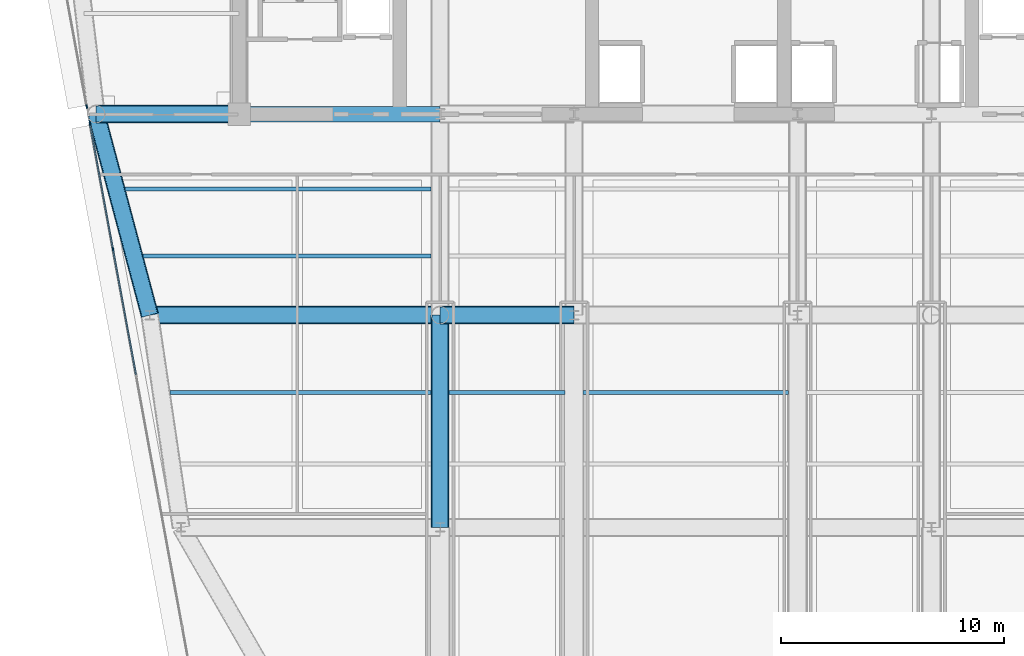
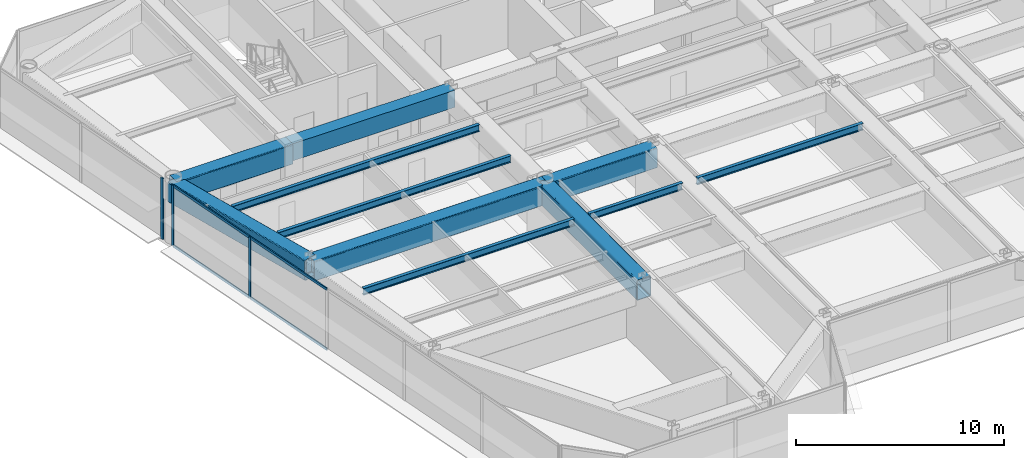
# One storey, part 4 of 16: 11 beams, 7 members, 2 elements without a shape of their own.
"""IFC4 building model written with IfcOpenShell, lengths in metres."""

from ifc_helpers import new_model, si_unit, direction, frame, origin, origin_2d, place, context, subcontext, project, spatial, rectangle, hollow_rectangle, i_section, extrude, source, transform, mapped, material, layer, layer_set, material_profile, profile_set, type_object, element, aggregate, save


model = new_model("IFC4")

# Units and contexts
model_context = context("Model", 3, precision=1e-05, world=origin(), true_north=direction((0.0, 1.0)))
body_context = subcontext(model_context, "Body", "Model", "MODEL_VIEW")
ifc_project = project(units=[si_unit("LENGTHUNIT", "METRE"), si_unit("AREAUNIT", "SQUARE_METRE"), si_unit("VOLUMEUNIT", "CUBIC_METRE"), si_unit("PLANEANGLEUNIT", "RADIAN"), si_unit("MASSUNIT", "GRAM", prefix="KILO")], contexts=[model_context])

# Site, building, storey
site_placement = place(None, origin())
site = spatial("IfcSite", under=ifc_project, at=site_placement, CompositionType="ELEMENT")
building_placement = place(site_placement, origin())
building = spatial("IfcBuilding", under=site, at=building_placement, Name="Vaeldorn Concourse Tower", CompositionType="ELEMENT")
storey_placement = place(building_placement, frame((0.0, 0.0, 203.199951171875)))
storey = spatial("IfcBuildingStorey", under=building, at=storey_placement, Name="L52", CompositionType="ELEMENT", Elevation=203.199951171875)

# Beams
ifc_material_1 = material(Name="Concrete C50/60", Category="concrete")
ifc_material_profile_1 = material_profile(ifc_material_1, rectangle(XDim=0.699951171875, YDim=1.0, at=origin_2d()), Name="RC 700x1000")
ifc_profile_set_1 = profile_set([ifc_material_profile_1], Name="Concrete C50/60")
beam_type_1 = type_object("IfcBeamType", Name="BM-CB-RC700", PredefinedType="BEAM", material=ifc_profile_set_1)
shared_shape_1 = source(origin(), body_context, "Body", "SweptSolid", [
    extrude(rectangle(XDim=0.699951171875, YDim=1.0, at=origin_2d()), origin(), (0.0, 0.0, 1.0), 9.0),
])
beam_1_placement = place(storey_placement, frame((14.0, 36.5, 3.080078125), z_axis=(1.0, 0.0, 0.0), x_axis=(0.0, 1.0, 0.0)))
element("IfcBeam", 1, at=beam_1_placement, inside=storey, type_object=beam_type_1, Name="Core Coupling Beam L52-1", PredefinedType="BEAM", context=body_context, shape_type="MappedRepresentation", body=[
    mapped(shared_shape_1, transform((0.0, 0.0, 0.0), scale=1.0)),
])
ifc_material_2 = material(Name="Steel S460", Category="steel")
ifc_material_profile_2 = material_profile(ifc_material_2, hollow_rectangle(XDim=0.800048828125, YDim=1.199951171875, WallThickness=0.044921875, InnerFilletRadius=0.044921875, OuterFilletRadius=0.090087890625, at=origin_2d()), Name="RHS 1200x800x45")
ifc_profile_set_2 = profile_set([ifc_material_profile_2], Name="Steel S460")
beam_type_2 = type_object("IfcBeamType", Name="BM-TG-RHS1200", PredefinedType="BEAM", material=ifc_profile_set_2)
shared_shape_2 = source(origin(), body_context, "Body", "SweptSolid", [
    extrude(hollow_rectangle(XDim=0.800048828125, YDim=1.199951171875, WallThickness=0.044921875, InnerFilletRadius=0.044921875, OuterFilletRadius=0.090087890625, at=origin_2d()), origin(), (0.0, 0.0, 1.0), 6.0),
])
beam_2_placement = place(storey_placement, frame((23.0, 27.5, 2.97998046875), z_axis=(1.0, 0.0, 0.0), x_axis=(0.0, 1.0, 0.0)))
element("IfcBeam", 2, at=beam_2_placement, inside=storey, type_object=beam_type_2, Name="Beam BM-L52-C-TW1-C-TW2", PredefinedType="BEAM", context=body_context, shape_type="MappedRepresentation", body=[
    mapped(shared_shape_2, transform((0.0, 0.0, 0.0), scale=1.0)),
])
shared_shape_3 = source(origin(), body_context, "Body", "SweptSolid", [
    extrude(hollow_rectangle(XDim=0.800048828125, YDim=1.199951171875, WallThickness=0.044921875, InnerFilletRadius=0.044921875, OuterFilletRadius=0.090087890625, at=origin_2d()), origin(), (0.0, 0.0, 1.0), 13.0),
])
beam_3_placement = place(storey_placement, frame((10.0, 27.5, 2.97998046875), z_axis=(1.0, 0.0, 0.0), x_axis=(0.0, 1.0, 0.0)))
element("IfcBeam", 3, at=beam_3_placement, inside=storey, type_object=beam_type_2, Name="Beam BM-L52-C-FLW1-C-TW1", PredefinedType="BEAM", context=body_context, shape_type="MappedRepresentation", body=[
    mapped(shared_shape_3, transform((0.0, 0.0, 0.0), scale=1.0)),
])
shared_shape_4 = source(origin(), body_context, "Body", "SweptSolid", [
    extrude(hollow_rectangle(XDim=0.800048828125, YDim=1.199951171875, WallThickness=0.044921875, InnerFilletRadius=0.044921875, OuterFilletRadius=0.090087890625, at=origin_2d()), origin(), (0.0, 0.0, 1.0), 6.39990234375),
])
beam_4_placement = place(storey_placement, frame((7.60009765625, 36.5, 2.97998046875), z_axis=(1.0, 0.0, 0.0), x_axis=(0.0, 1.0, 0.0)))
element("IfcBeam", 4, at=beam_4_placement, inside=storey, type_object=beam_type_2, Name="Beam BM-L52-C-NW2-C-FC1", PredefinedType="BEAM", context=body_context, shape_type="MappedRepresentation", body=[
    mapped(shared_shape_4, transform((0.0, 0.0, 0.0), scale=1.0)),
])
shared_shape_5 = source(origin(), body_context, "Body", "SweptSolid", [
    extrude(hollow_rectangle(XDim=0.800048828125, YDim=1.199951171875, WallThickness=0.044921875, InnerFilletRadius=0.044921875, OuterFilletRadius=0.090087890625, at=origin_2d()), origin(), (0.0, 0.0, 1.0), 9.314453125),
])
beam_5_placement = place(storey_placement, frame((7.60009765625, 36.5, 2.97998046875), z_axis=(0.257652862255, -0.966237549763, 0.0), x_axis=(0.966237549763, 0.257652862255, 0.0)))
element("IfcBeam", 5, at=beam_5_placement, inside=storey, type_object=beam_type_2, Name="Beam BM-L52-C-NW2-C-FLW1", PredefinedType="BEAM", context=body_context, shape_type="MappedRepresentation", body=[
    mapped(shared_shape_5, transform((0.0, 0.0, 0.0), scale=1.0)),
])
shared_shape_6 = source(origin(), body_context, "Body", "SweptSolid", [
    extrude(hollow_rectangle(XDim=0.800048828125, YDim=1.199951171875, WallThickness=0.044921875, InnerFilletRadius=0.044921875, OuterFilletRadius=0.090087890625, at=origin_2d()), origin(), (0.0, 0.0, 1.0), 9.5),
])
beam_6_placement = place(storey_placement, frame((23.0, 18.0, 2.97998046875), z_axis=(0.0, 1.0, 0.0), x_axis=(-1.0, 0.0, 0.0)))
element("IfcBeam", 6, at=beam_6_placement, inside=storey, type_object=beam_type_2, Name="Beam BM-L52-C-TW5-C-TW1", PredefinedType="BEAM", context=body_context, shape_type="MappedRepresentation", body=[
    mapped(shared_shape_6, transform((0.0, 0.0, 0.0), scale=1.0)),
])
ifc_material_3 = material(Name="Steel S355", Category="steel")
ifc_material_profile_3 = material_profile(ifc_material_3, i_section(OverallWidth=0.179931640625, OverallDepth=0.39990234375, WebThickness=0.008544921875, FlangeThickness=0.013427734375, FilletRadius=0.02099609375, at=origin_2d()), Name="IPE 400")
ifc_profile_set_3 = profile_set([ifc_material_profile_3], Name="Steel S355")
beam_type_3 = type_object("IfcBeamType", Name="BM-JS-IPE400", PredefinedType="JOIST", material=ifc_profile_set_3)
shared_shape_7 = source(origin(), body_context, "Body", "SweptSolid", [
    extrude(i_section(OverallWidth=0.179931640625, OverallDepth=0.39990234375, WebThickness=0.008544921875, FlangeThickness=0.013427734375, FilletRadius=0.02099609375, at=origin_2d()), origin(), (0.0, 0.0, 1.0), 5.2001953125),
])
beam_7_placement = place(storey_placement, frame((23.39990234375, 24.0400390625, 3.380126953125), z_axis=(1.0, 0.0, 0.0), x_axis=(0.0, 1.0, 0.0)))
element("IfcBeam", 7, at=beam_7_placement, inside=storey, type_object=beam_type_3, Name="Beam JS-L52-W2-240", PredefinedType="JOIST", context=body_context, shape_type="MappedRepresentation", body=[
    mapped(shared_shape_7, transform((0.0, 0.0, 0.0), scale=1.0)),
])
shared_shape_8 = source(origin(), body_context, "Body", "SweptSolid", [
    extrude(i_section(OverallWidth=0.179931640625, OverallDepth=0.39990234375, WebThickness=0.008544921875, FlangeThickness=0.013427734375, FilletRadius=0.02099609375, at=origin_2d()), origin(), (0.0, 0.0, 1.0), 9.2001953125),
])
beam_8_placement = place(storey_placement, frame((29.39990234375, 24.0400390625, 3.380126953125), z_axis=(1.0, 0.0, 0.0), x_axis=(0.0, 1.0, 0.0)))
element("IfcBeam", 8, at=beam_8_placement, inside=storey, type_object=beam_type_3, Name="Beam JS-L52-C-240", PredefinedType="JOIST", context=body_context, shape_type="MappedRepresentation", body=[
    mapped(shared_shape_8, transform((0.0, 0.0, 0.0), scale=1.0)),
])
shared_shape_9 = source(origin(), body_context, "Body", "SweptSolid", [
    extrude(i_section(OverallWidth=0.179931640625, OverallDepth=0.39990234375, WebThickness=0.008544921875, FlangeThickness=0.013427734375, FilletRadius=0.02099609375, at=origin_2d()), origin(), (0.0, 0.0, 1.0), 11.690185546875),
])
beam_9_placement = place(storey_placement, frame((10.909912109375, 24.0400390625, 3.380126953125), z_axis=(1.0, 0.0, 0.0), x_axis=(0.0, 1.0, 0.0)))
element("IfcBeam", 9, at=beam_9_placement, inside=storey, type_object=beam_type_3, Name="Beam JS-L52-W1-240", PredefinedType="JOIST", context=body_context, shape_type="MappedRepresentation", body=[
    mapped(shared_shape_9, transform((0.0, 0.0, 0.0), scale=1.0)),
])
shared_shape_10 = source(origin(), body_context, "Body", "SweptSolid", [
    extrude(i_section(OverallWidth=0.179931640625, OverallDepth=0.39990234375, WebThickness=0.008544921875, FlangeThickness=0.013427734375, FilletRadius=0.02099609375, at=origin_2d()), origin(), (0.0, 0.0, 1.0), 12.904052734375),
])
beam_10_placement = place(storey_placement, frame((9.696044921875, 30.139892578125, 3.380126953125), z_axis=(1.0, 0.0, 0.0), x_axis=(0.0, 1.0, 0.0)))
element("IfcBeam", 10, at=beam_10_placement, inside=storey, type_object=beam_type_3, Name="Beam JS-L52-W1-301", PredefinedType="JOIST", context=body_context, shape_type="MappedRepresentation", body=[
    mapped(shared_shape_10, transform((0.0, 0.0, 0.0), scale=1.0)),
])
shared_shape_11 = source(origin(), body_context, "Body", "SweptSolid", [
    extrude(i_section(OverallWidth=0.179931640625, OverallDepth=0.39990234375, WebThickness=0.008544921875, FlangeThickness=0.013427734375, FilletRadius=0.02099609375, at=origin_2d()), origin(), (0.0, 0.0, 1.0), 13.7041015625),
])
beam_11_placement = place(storey_placement, frame((8.89599609375, 33.139892578125, 3.380126953125), z_axis=(1.0, 0.0, 0.0), x_axis=(0.0, 1.0, 0.0)))
element("IfcBeam", 11, at=beam_11_placement, inside=storey, type_object=beam_type_3, Name="Beam JS-L52-W1-331", PredefinedType="JOIST", context=body_context, shape_type="MappedRepresentation", body=[
    mapped(shared_shape_11, transform((0.0, 0.0, 0.0), scale=1.0)),
])

# Curtain wall, member
ifc_material_4 = material(Name="Anodised Bronze Aluminium", Category="aluminium")
ifc_layer = layer(ifc_material_4, 0.18994140625)
ifc_layer_set = layer_set([ifc_layer], Name="Anodised Bronze Aluminium")
curtain_wall_type = type_object("IfcCurtainWallType", Name="CW-SYS-03", PredefinedType="NOTDEFINED", material=ifc_layer_set)
curtain_wall_1_placement = place(storey_placement, origin())
curtain_wall_1 = element("IfcCurtainWall", 12, at=curtain_wall_1_placement, inside=storey, type_object=curtain_wall_type, Name="Unitised Curtain Wall CW-L52-E11-1", PredefinedType="NOTDEFINED")
ifc_material_profile_4 = material_profile(ifc_material_4, rectangle(XDim=0.06494140625, YDim=0.169921875, at=origin_2d()), Name="CWM 65x170")
ifc_profile_set_4 = profile_set([ifc_material_profile_4], Name="Anodised Bronze Aluminium")
member_type_1 = type_object("IfcMemberType", Name="CWM-BRONZE-170", PredefinedType="MULLION", material=ifc_profile_set_4)
shared_shape_12 = source(origin(), body_context, "Body", "SweptSolid", [
    extrude(rectangle(XDim=0.06494140625, YDim=0.169921875, at=origin_2d()), origin(), (0.0, 0.0, 1.0), 3.580078125),
])
member_1_placement = place(storey_placement, frame((7.177734375, 36.83935546875, 0.0), z_axis=(0.0, 0.0, 1.0), x_axis=(0.983559459619, 0.180584576845, 0.0)))
member_1 = element("IfcMember", 13, at=member_1_placement, type_object=member_type_1, Name="CW-03 mullion 3", PredefinedType="MULLION", context=body_context, shape_type="MappedRepresentation", body=[
    mapped(shared_shape_12, transform((0.0, 0.0, 0.0), scale=1.0)),
])
aggregate(curtain_wall_1, [member_1])

# Curtain wall, members
curtain_wall_2_placement = place(storey_placement, origin())
curtain_wall_2 = element("IfcCurtainWall", 14, at=curtain_wall_2_placement, inside=storey, type_object=curtain_wall_type, Name="Unitised Curtain Wall CW-L52-E11-2", PredefinedType="NOTDEFINED")
member_2_placement = place(storey_placement, frame((7.322265625, 36.051513671875, 0.0), z_axis=(0.0, 0.0, 1.0), x_axis=(0.983559325018, 0.180585309951, 0.0)))
member_2 = element("IfcMember", 15, at=member_2_placement, type_object=member_type_1, Name="CW-03 mullion 1", PredefinedType="MULLION", context=body_context, shape_type="MappedRepresentation", body=[
    mapped(shared_shape_12, transform((0.0, 0.0, 0.0), scale=1.0)),
])
member_3_placement = place(storey_placement, frame((8.351318359375, 30.44677734375, 0.0), z_axis=(0.0, 0.0, 1.0), x_axis=(0.983559325018, 0.180585309951, 0.0)))
member_3 = element("IfcMember", 16, at=member_3_placement, type_object=member_type_1, Name="CW-03 mullion 2", PredefinedType="MULLION", context=body_context, shape_type="MappedRepresentation", body=[
    mapped(shared_shape_12, transform((0.0, 0.0, 0.0), scale=1.0)),
])
ifc_material_profile_5 = material_profile(ifc_material_4, rectangle(XDim=0.06494140625, YDim=0.14990234375, at=origin_2d()), Name="CWT 65x150")
ifc_profile_set_5 = profile_set([ifc_material_profile_5], Name="Anodised Bronze Aluminium")
member_type_2 = type_object("IfcMemberType", Name="CWT-BRONZE-150", PredefinedType="USERDEFINED", material=ifc_profile_set_5)
shared_shape_13 = source(origin(), body_context, "Body", "SweptSolid", [
    extrude(rectangle(XDim=0.06494140625, YDim=0.14990234375, at=origin_2d()), origin(), (0.0, 0.0, 1.0), 5.63330078125),
])
member_4_placement = place(storey_placement, frame((7.328125, 36.01953125, 0.032470703125), z_axis=(0.180589917692, -0.983558479008, 0.0), x_axis=(0.983558479008, 0.180589917692, 0.0)))
member_4 = element("IfcMember", 17, at=member_4_placement, type_object=member_type_2, Name="CW-03 transom 1.1", ObjectType="TRANSOM", PredefinedType="USERDEFINED", context=body_context, shape_type="MappedRepresentation", body=[
    mapped(shared_shape_13, transform((0.0, 0.0, 0.0), scale=1.0)),
])
member_5_placement = place(storey_placement, frame((7.328125, 36.01953125, 3.547607421875), z_axis=(0.180589917692, -0.983558479008, 0.0), x_axis=(0.983558479008, 0.180589917692, 0.0)))
member_5 = element("IfcMember", 18, at=member_5_placement, type_object=member_type_2, Name="CW-03 transom 1.2", ObjectType="TRANSOM", PredefinedType="USERDEFINED", context=body_context, shape_type="MappedRepresentation", body=[
    mapped(shared_shape_13, transform((0.0, 0.0, 0.0), scale=1.0)),
])
shared_shape_14 = source(origin(), body_context, "Body", "SweptSolid", [
    extrude(rectangle(XDim=0.06494140625, YDim=0.14990234375, at=origin_2d()), origin(), (0.0, 0.0, 1.0), 5.666015625),
])
member_6_placement = place(storey_placement, frame((8.357177734375, 30.414794921875, 0.032470703125), z_axis=(0.180587719149, -0.983558882677, 0.0), x_axis=(0.983558882677, 0.180587719149, 0.0)))
member_6 = element("IfcMember", 19, at=member_6_placement, type_object=member_type_2, Name="CW-03 transom 2.1", ObjectType="TRANSOM", PredefinedType="USERDEFINED", context=body_context, shape_type="MappedRepresentation", body=[
    mapped(shared_shape_14, transform((0.0, 0.0, 0.0), scale=1.0)),
])
member_7_placement = place(storey_placement, frame((8.357177734375, 30.414794921875, 3.547607421875), z_axis=(0.180587719149, -0.983558882677, 0.0), x_axis=(0.983558882677, 0.180587719149, 0.0)))
member_7 = element("IfcMember", 20, at=member_7_placement, type_object=member_type_2, Name="CW-03 transom 2.2", ObjectType="TRANSOM", PredefinedType="USERDEFINED", context=body_context, shape_type="MappedRepresentation", body=[
    mapped(shared_shape_14, transform((0.0, 0.0, 0.0), scale=1.0)),
])
aggregate(curtain_wall_2, [member_2, member_3, member_4, member_5, member_6, member_7])

save(model, "model.ifc")
